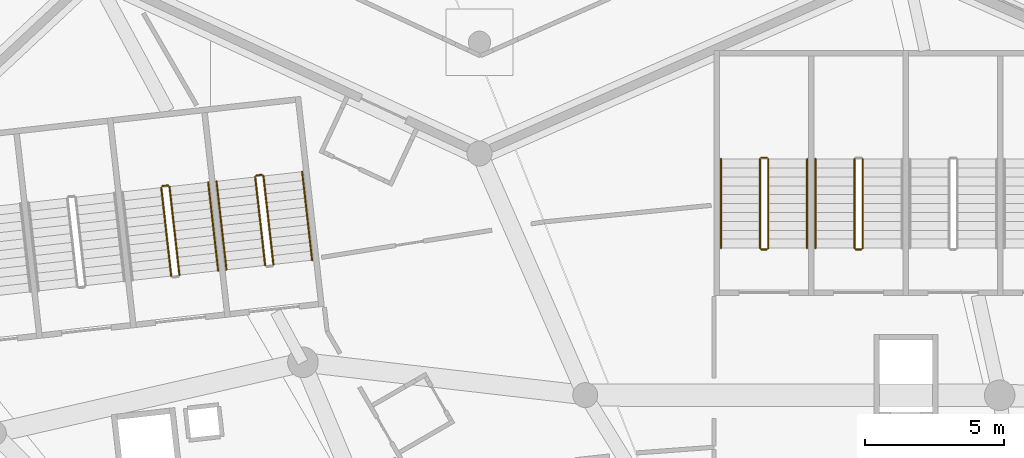
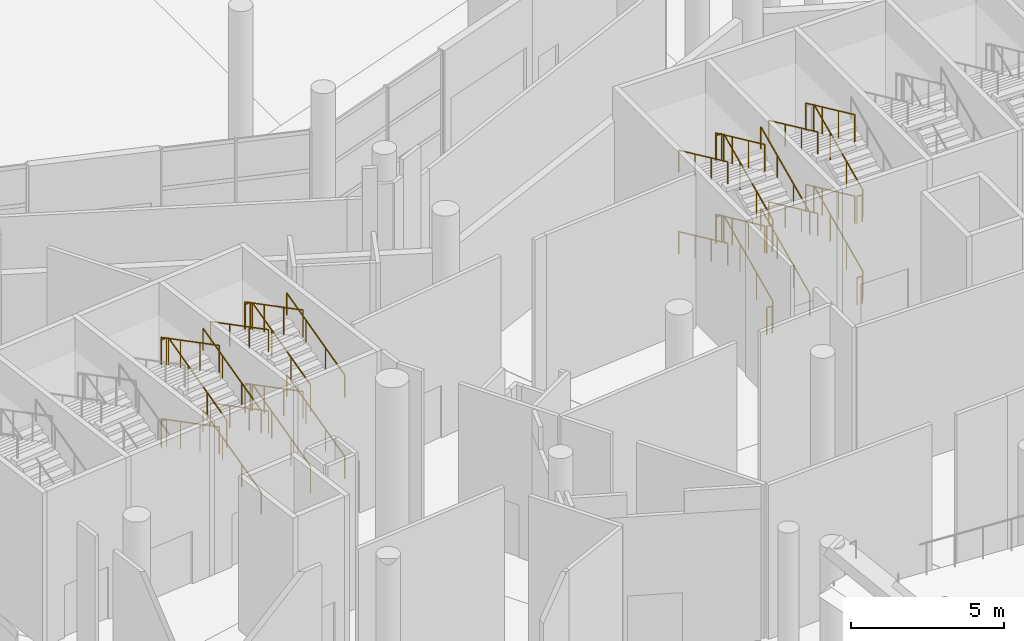
# One storey, part 236 of 255: 37 railings.
"""IFC4 building model written with IfcOpenShell, lengths in metres."""

from ifc_helpers import new_model, si_unit, direction, frame, origin, origin_2d, place, context, subcontext, project, spatial, circle, extrude, material, type_object, element, save


model = new_model("IFC4")

# Units and contexts
model_context = context("Model", 3, precision=1e-05, world=origin(), true_north=direction((0.0, 1.0)))
body_context = subcontext(model_context, "Body", "Model", "MODEL_VIEW")
ifc_project = project(units=[si_unit("LENGTHUNIT", "METRE"), si_unit("AREAUNIT", "SQUARE_METRE"), si_unit("VOLUMEUNIT", "CUBIC_METRE"), si_unit("PLANEANGLEUNIT", "RADIAN"), si_unit("MASSUNIT", "GRAM", prefix="KILO")], contexts=[model_context])

# Site, building, storey
site_placement = place(None, origin())
site = spatial("IfcSite", under=ifc_project, at=site_placement, CompositionType="ELEMENT")
building_placement = place(site_placement, origin())
building = spatial("IfcBuilding", under=site, at=building_placement, Name="Meseta Stadium", CompositionType="ELEMENT")
storey_placement = place(building_placement, origin())
storey = spatial("IfcBuildingStorey", under=building, at=storey_placement, Name="L00", CompositionType="ELEMENT", Elevation=0.0)

# Railings
ifc_material_1 = material(Name="Steel S355", Category="steel")
railing_type_1 = type_object("IfcRailingType", Name="Stair guard 1100", PredefinedType="GUARDRAIL", material=ifc_material_1)
railing_1_placement = place(storey_placement, frame((-24.550048828125, 95.199951171875, 0.147705078125)))
element("IfcRailing", 1, at=railing_1_placement, inside=storey, type_object=railing_type_1, Name="ST43 L00 guard 1", PredefinedType="GUARDRAIL", context=body_context, shape_type="SweptSolid", body=[
    extrude(circle(Radius=0.02392578125, at=origin_2d()), frame((0.0, 0.0, 1.076171875), z_axis=(0.0, 0.907916804346, 0.419150422148), x_axis=(-1.0, 0.0, 0.0)), (0.0, 0.0, 1.0), 3.5244140625),
    extrude(circle(Radius=0.02099609375, at=origin_2d()), origin(), (0.0, 0.0, 1.0), 1.052001953125),
    extrude(circle(Radius=0.02099609375, at=origin_2d()), frame((0.0, 1.066650390625, 0.492431640625)), (0.0, 0.0, 1.0), 1.052001953125),
    extrude(circle(Radius=0.02099609375, at=origin_2d()), frame((0.0, 2.13330078125, 0.98486328125)), (0.0, 0.0, 1.0), 1.052001953125),
    extrude(circle(Radius=0.02099609375, at=origin_2d()), frame((0.0, 3.199951171875, 1.477294921875)), (0.0, 0.0, 1.0), 1.052001953125),
])
railing_2_placement = place(storey_placement, frame((-24.85009765625, 98.39990234375, 1.772705078125)))
element("IfcRailing", 2, at=railing_2_placement, inside=storey, type_object=railing_type_1, Name="ST43 L00 guard 3", PredefinedType="GUARDRAIL", context=body_context, shape_type="SweptSolid", body=[
    extrude(circle(Radius=0.02392578125, at=origin_2d()), frame((0.0, 0.0, 1.076171875), z_axis=(0.0, -0.907916804346, 0.419150422148), x_axis=(1.0, 0.0, 0.0)), (0.0, 0.0, 1.0), 3.5244140625),
    extrude(circle(Radius=0.02099609375, at=origin_2d()), origin(), (0.0, 0.0, 1.0), 1.052001953125),
    extrude(circle(Radius=0.02099609375, at=origin_2d()), frame((0.0, -1.066650390625, 0.492431640625)), (0.0, 0.0, 1.0), 1.052001953125),
    extrude(circle(Radius=0.02099609375, at=origin_2d()), frame((0.0, -2.13330078125, 0.98486328125)), (0.0, 0.0, 1.0), 1.052001953125),
    extrude(circle(Radius=0.02099609375, at=origin_2d()), frame((0.0, -3.199951171875, 1.477294921875)), (0.0, 0.0, 1.0), 1.052001953125),
])
railing_3_placement = place(storey_placement, frame((-24.60009765625, 95.14990234375, 3.25)))
element("IfcRailing", 3, at=railing_3_placement, inside=storey, type_object=railing_type_1, Name="ST43 L00 guard 4", PredefinedType="GUARDRAIL", context=body_context, shape_type="SweptSolid", body=[
    extrude(circle(Radius=0.02392578125, at=origin_2d()), frame((0.0, 0.0, 1.076171875), z_axis=(-1.0, 0.0, 0.0), x_axis=(0.0, -1.0, 0.0)), (0.0, 0.0, 1.0), 0.199951171875),
    extrude(circle(Radius=0.02099609375, at=origin_2d()), origin(), (0.0, 0.0, 1.0), 1.052001953125),
    extrude(circle(Radius=0.02099609375, at=origin_2d()), frame((-0.199951171875, 0.0, 0.0)), (0.0, 0.0, 1.0), 1.052001953125),
])
railing_4_placement = place(storey_placement, frame((-24.550048828125, 95.199951171875, 3.397705078125)))
element("IfcRailing", 4, at=railing_4_placement, inside=storey, type_object=railing_type_1, Name="ST43 L00 guard 5", PredefinedType="GUARDRAIL", context=body_context, shape_type="SweptSolid", body=[
    extrude(circle(Radius=0.02392578125, at=origin_2d()), frame((0.0, 0.0, 1.076171875), z_axis=(0.0, 0.907916804346, 0.419150422148), x_axis=(-1.0, 0.0, 0.0)), (0.0, 0.0, 1.0), 3.5244140625),
    extrude(circle(Radius=0.02099609375, at=origin_2d()), origin(), (0.0, 0.0, 1.0), 1.052001953125),
    extrude(circle(Radius=0.02099609375, at=origin_2d()), frame((0.0, 1.066650390625, 0.492431640625)), (0.0, 0.0, 1.0), 1.052001953125),
    extrude(circle(Radius=0.02099609375, at=origin_2d()), frame((0.0, 2.13330078125, 0.98486328125)), (0.0, 0.0, 1.0), 1.052001953125),
    extrude(circle(Radius=0.02099609375, at=origin_2d()), frame((0.0, 3.199951171875, 1.477294921875)), (0.0, 0.0, 1.0), 1.052001953125),
])
railing_5_placement = place(storey_placement, frame((-24.85009765625, 98.39990234375, 5.022705078125)))
element("IfcRailing", 5, at=railing_5_placement, inside=storey, type_object=railing_type_1, Name="ST43 L00 guard 7", PredefinedType="GUARDRAIL", context=body_context, shape_type="SweptSolid", body=[
    extrude(circle(Radius=0.02392578125, at=origin_2d()), frame((0.0, 0.0, 1.076171875), z_axis=(0.0, -0.907916804346, 0.419150422148), x_axis=(1.0, 0.0, 0.0)), (0.0, 0.0, 1.0), 3.5244140625),
    extrude(circle(Radius=0.02099609375, at=origin_2d()), origin(), (0.0, 0.0, 1.0), 1.052001953125),
    extrude(circle(Radius=0.02099609375, at=origin_2d()), frame((0.0, -1.066650390625, 0.492431640625)), (0.0, 0.0, 1.0), 1.052001953125),
    extrude(circle(Radius=0.02099609375, at=origin_2d()), frame((0.0, -2.13330078125, 0.98486328125)), (0.0, 0.0, 1.0), 1.052001953125),
    extrude(circle(Radius=0.02099609375, at=origin_2d()), frame((0.0, -3.199951171875, 1.477294921875)), (0.0, 0.0, 1.0), 1.052001953125),
])
railing_6_placement = place(storey_placement, frame((-24.60009765625, 95.14990234375, 0.0)))
element("IfcRailing", 6, at=railing_6_placement, inside=storey, type_object=railing_type_1, Name="ST43 L00 guard 8", PredefinedType="GUARDRAIL", context=body_context, shape_type="SweptSolid", body=[
    extrude(circle(Radius=0.02392578125, at=origin_2d()), frame((0.0, 0.0, 1.076171875), z_axis=(-1.0, 0.0, 0.0), x_axis=(0.0, -1.0, 0.0)), (0.0, 0.0, 1.0), 0.199951171875),
    extrude(circle(Radius=0.02099609375, at=origin_2d()), origin(), (0.0, 0.0, 1.0), 1.052001953125),
    extrude(circle(Radius=0.02099609375, at=origin_2d()), frame((-0.199951171875, 0.0, 0.0)), (0.0, 0.0, 1.0), 1.052001953125),
])
railing_7_placement = place(storey_placement, frame((-27.949951171875, 95.199951171875, 0.147705078125)))
element("IfcRailing", 7, at=railing_7_placement, inside=storey, type_object=railing_type_1, Name="ST44 L00 guard 1", PredefinedType="GUARDRAIL", context=body_context, shape_type="SweptSolid", body=[
    extrude(circle(Radius=0.02392578125, at=origin_2d()), frame((0.0, 0.0, 1.076171875), z_axis=(0.0, 0.907916804346, 0.419150422148), x_axis=(-1.0, 0.0, 0.0)), (0.0, 0.0, 1.0), 3.5244140625),
    extrude(circle(Radius=0.02099609375, at=origin_2d()), origin(), (0.0, 0.0, 1.0), 1.052001953125),
    extrude(circle(Radius=0.02099609375, at=origin_2d()), frame((0.0, 1.066650390625, 0.492431640625)), (0.0, 0.0, 1.0), 1.052001953125),
    extrude(circle(Radius=0.02099609375, at=origin_2d()), frame((0.0, 2.13330078125, 0.98486328125)), (0.0, 0.0, 1.0), 1.052001953125),
    extrude(circle(Radius=0.02099609375, at=origin_2d()), frame((0.0, 3.199951171875, 1.477294921875)), (0.0, 0.0, 1.0), 1.052001953125),
])
railing_8_placement = place(storey_placement, frame((-28.0, 98.449951171875, 1.625)))
element("IfcRailing", 8, at=railing_8_placement, inside=storey, type_object=railing_type_1, Name="ST44 L00 guard 2", PredefinedType="GUARDRAIL", context=body_context, shape_type="SweptSolid", body=[
    extrude(circle(Radius=0.02392578125, at=origin_2d()), frame((0.0, 0.0, 1.076171875), z_axis=(-1.0, 0.0, 0.0), x_axis=(0.0, -1.0, 0.0)), (0.0, 0.0, 1.0), 0.199951171875),
    extrude(circle(Radius=0.02099609375, at=origin_2d()), origin(), (0.0, 0.0, 1.0), 1.052001953125),
    extrude(circle(Radius=0.02099609375, at=origin_2d()), frame((-0.199951171875, 0.0, 0.0)), (0.0, 0.0, 1.0), 1.052001953125),
])
railing_9_placement = place(storey_placement, frame((-28.25, 98.39990234375, 1.772705078125)))
element("IfcRailing", 9, at=railing_9_placement, inside=storey, type_object=railing_type_1, Name="ST44 L00 guard 3", PredefinedType="GUARDRAIL", context=body_context, shape_type="SweptSolid", body=[
    extrude(circle(Radius=0.02392578125, at=origin_2d()), frame((0.0, 0.0, 1.076171875), z_axis=(0.0, -0.907916804346, 0.419150422148), x_axis=(1.0, 0.0, 0.0)), (0.0, 0.0, 1.0), 3.5244140625),
    extrude(circle(Radius=0.02099609375, at=origin_2d()), origin(), (0.0, 0.0, 1.0), 1.052001953125),
    extrude(circle(Radius=0.02099609375, at=origin_2d()), frame((0.0, -1.066650390625, 0.492431640625)), (0.0, 0.0, 1.0), 1.052001953125),
    extrude(circle(Radius=0.02099609375, at=origin_2d()), frame((0.0, -2.13330078125, 0.98486328125)), (0.0, 0.0, 1.0), 1.052001953125),
    extrude(circle(Radius=0.02099609375, at=origin_2d()), frame((0.0, -3.199951171875, 1.477294921875)), (0.0, 0.0, 1.0), 1.052001953125),
])
railing_10_placement = place(storey_placement, frame((-28.0, 95.14990234375, 3.25)))
element("IfcRailing", 10, at=railing_10_placement, inside=storey, type_object=railing_type_1, Name="ST44 L00 guard 4", PredefinedType="GUARDRAIL", context=body_context, shape_type="SweptSolid", body=[
    extrude(circle(Radius=0.02392578125, at=origin_2d()), frame((0.0, 0.0, 1.076171875), z_axis=(-1.0, 0.0, 0.0), x_axis=(0.0, -1.0, 0.0)), (0.0, 0.0, 1.0), 0.199951171875),
    extrude(circle(Radius=0.02099609375, at=origin_2d()), origin(), (0.0, 0.0, 1.0), 1.052001953125),
    extrude(circle(Radius=0.02099609375, at=origin_2d()), frame((-0.199951171875, 0.0, 0.0)), (0.0, 0.0, 1.0), 1.052001953125),
])
railing_11_placement = place(storey_placement, frame((-27.949951171875, 95.199951171875, 3.397705078125)))
element("IfcRailing", 11, at=railing_11_placement, inside=storey, type_object=railing_type_1, Name="ST44 L00 guard 5", PredefinedType="GUARDRAIL", context=body_context, shape_type="SweptSolid", body=[
    extrude(circle(Radius=0.02392578125, at=origin_2d()), frame((0.0, 0.0, 1.076171875), z_axis=(0.0, 0.907916804346, 0.419150422148), x_axis=(-1.0, 0.0, 0.0)), (0.0, 0.0, 1.0), 3.5244140625),
    extrude(circle(Radius=0.02099609375, at=origin_2d()), origin(), (0.0, 0.0, 1.0), 1.052001953125),
    extrude(circle(Radius=0.02099609375, at=origin_2d()), frame((0.0, 1.066650390625, 0.492431640625)), (0.0, 0.0, 1.0), 1.052001953125),
    extrude(circle(Radius=0.02099609375, at=origin_2d()), frame((0.0, 2.13330078125, 0.98486328125)), (0.0, 0.0, 1.0), 1.052001953125),
    extrude(circle(Radius=0.02099609375, at=origin_2d()), frame((0.0, 3.199951171875, 1.477294921875)), (0.0, 0.0, 1.0), 1.052001953125),
])
railing_12_placement = place(storey_placement, frame((-28.0, 98.449951171875, 4.875)))
element("IfcRailing", 12, at=railing_12_placement, inside=storey, type_object=railing_type_1, Name="ST44 L00 guard 6", PredefinedType="GUARDRAIL", context=body_context, shape_type="SweptSolid", body=[
    extrude(circle(Radius=0.02392578125, at=origin_2d()), frame((0.0, 0.0, 1.076171875), z_axis=(-1.0, 0.0, 0.0), x_axis=(0.0, -1.0, 0.0)), (0.0, 0.0, 1.0), 0.199951171875),
    extrude(circle(Radius=0.02099609375, at=origin_2d()), origin(), (0.0, 0.0, 1.0), 1.052001953125),
    extrude(circle(Radius=0.02099609375, at=origin_2d()), frame((-0.199951171875, 0.0, 0.0)), (0.0, 0.0, 1.0), 1.052001953125),
])
railing_13_placement = place(storey_placement, frame((-28.25, 98.39990234375, 5.022705078125)))
element("IfcRailing", 13, at=railing_13_placement, inside=storey, type_object=railing_type_1, Name="ST44 L00 guard 7", PredefinedType="GUARDRAIL", context=body_context, shape_type="SweptSolid", body=[
    extrude(circle(Radius=0.02392578125, at=origin_2d()), frame((0.0, 0.0, 1.076171875), z_axis=(0.0, -0.907916804346, 0.419150422148), x_axis=(1.0, 0.0, 0.0)), (0.0, 0.0, 1.0), 3.5244140625),
    extrude(circle(Radius=0.02099609375, at=origin_2d()), origin(), (0.0, 0.0, 1.0), 1.052001953125),
    extrude(circle(Radius=0.02099609375, at=origin_2d()), frame((0.0, -1.066650390625, 0.492431640625)), (0.0, 0.0, 1.0), 1.052001953125),
    extrude(circle(Radius=0.02099609375, at=origin_2d()), frame((0.0, -2.13330078125, 0.98486328125)), (0.0, 0.0, 1.0), 1.052001953125),
    extrude(circle(Radius=0.02099609375, at=origin_2d()), frame((0.0, -3.199951171875, 1.477294921875)), (0.0, 0.0, 1.0), 1.052001953125),
])
railing_14_placement = place(storey_placement, frame((-28.0, 95.14990234375, 0.0)))
element("IfcRailing", 14, at=railing_14_placement, inside=storey, type_object=railing_type_1, Name="ST44 L00 guard 8", PredefinedType="GUARDRAIL", context=body_context, shape_type="SweptSolid", body=[
    extrude(circle(Radius=0.02392578125, at=origin_2d()), frame((0.0, 0.0, 1.076171875), z_axis=(-1.0, 0.0, 0.0), x_axis=(0.0, -1.0, 0.0)), (0.0, 0.0, 1.0), 0.199951171875),
    extrude(circle(Radius=0.02099609375, at=origin_2d()), origin(), (0.0, 0.0, 1.0), 1.052001953125),
    extrude(circle(Radius=0.02099609375, at=origin_2d()), frame((-0.199951171875, 0.0, 0.0)), (0.0, 0.0, 1.0), 1.052001953125),
])
railing_15_placement = place(storey_placement, frame((-45.742919921875, 94.609375, 0.147705078125)))
element("IfcRailing", 15, at=railing_15_placement, inside=storey, type_object=railing_type_1, Name="ST45 L00 guard 1", PredefinedType="GUARDRAIL", context=body_context, shape_type="SweptSolid", body=[
    extrude(circle(Radius=0.02392578125, at=origin_2d()), frame((0.0, 0.0, 1.076171875), z_axis=(-0.101691169215, 0.902197403174, 0.419164349402), x_axis=(-0.993707560215, -0.112005735442, 0.0)), (0.0, 0.0, 1.0), 3.5244140625),
    extrude(circle(Radius=0.02099609375, at=origin_2d()), origin(), (0.0, 0.0, 1.0), 1.052001953125),
    extrude(circle(Radius=0.02099609375, at=origin_2d()), frame((-0.119384765625, 1.059814453125, 0.492431640625)), (0.0, 0.0, 1.0), 1.052001953125),
    extrude(circle(Radius=0.02099609375, at=origin_2d()), frame((-0.239013671875, 2.119873046875, 0.98486328125)), (0.0, 0.0, 1.0), 1.052001953125),
    extrude(circle(Radius=0.02099609375, at=origin_2d()), frame((-0.3583984375, 3.1796875, 1.477294921875)), (0.0, 0.0, 1.0), 1.052001953125),
])
railing_16_placement = place(storey_placement, frame((-46.156494140625, 97.833251953125, 1.625)))
element("IfcRailing", 16, at=railing_16_placement, inside=storey, type_object=railing_type_1, Name="ST45 L00 guard 2", PredefinedType="GUARDRAIL", context=body_context, shape_type="SweptSolid", body=[
    extrude(circle(Radius=0.02392578125, at=origin_2d()), frame((0.0, 0.0, 1.076171875), z_axis=(-0.993688916384, -0.112171018782, 0.0), x_axis=(0.112171018782, -0.993688916384, 0.0)), (0.0, 0.0, 1.0), 0.2001953125),
    extrude(circle(Radius=0.02099609375, at=origin_2d()), origin(), (0.0, 0.0, 1.0), 1.052001953125),
    extrude(circle(Radius=0.02099609375, at=origin_2d()), frame((-0.198974609375, -0.0224609375, 0.0)), (0.0, 0.0, 1.0), 1.052001953125),
])
railing_17_placement = place(storey_placement, frame((-46.3994140625, 97.755615234375, 1.772705078125)))
element("IfcRailing", 17, at=railing_17_placement, inside=storey, type_object=railing_type_1, Name="ST45 L00 guard 3", PredefinedType="GUARDRAIL", context=body_context, shape_type="SweptSolid", body=[
    extrude(circle(Radius=0.02392578125, at=origin_2d()), frame((0.0, 0.0, 1.076171875), z_axis=(0.101616262084, -0.902216641888, 0.419141105571), x_axis=(0.993717005286, 0.11192190762, 0.0)), (0.0, 0.0, 1.0), 3.524658203125),
    extrude(circle(Radius=0.02099609375, at=origin_2d()), origin(), (0.0, 0.0, 1.0), 1.052001953125),
    extrude(circle(Radius=0.02099609375, at=origin_2d()), frame((0.119384765625, -1.06005859375, 0.492431640625)), (0.0, 0.0, 1.0), 1.052001953125),
    extrude(circle(Radius=0.02099609375, at=origin_2d()), frame((0.23876953125, -2.119873046875, 0.98486328125)), (0.0, 0.0, 1.0), 1.052001953125),
    extrude(circle(Radius=0.02099609375, at=origin_2d()), frame((0.358154296875, -3.179931640625, 1.477294921875)), (0.0, 0.0, 1.0), 1.052001953125),
])
railing_18_placement = place(storey_placement, frame((-45.742919921875, 94.609375, 3.397705078125)))
element("IfcRailing", 18, at=railing_18_placement, inside=storey, type_object=railing_type_1, Name="ST45 L00 guard 5", PredefinedType="GUARDRAIL", context=body_context, shape_type="SweptSolid", body=[
    extrude(circle(Radius=0.02392578125, at=origin_2d()), frame((0.0, 0.0, 1.076171875), z_axis=(-0.101691169215, 0.902197403174, 0.419164349402), x_axis=(-0.993707560215, -0.112005735442, 0.0)), (0.0, 0.0, 1.0), 3.5244140625),
    extrude(circle(Radius=0.02099609375, at=origin_2d()), origin(), (0.0, 0.0, 1.0), 1.052001953125),
    extrude(circle(Radius=0.02099609375, at=origin_2d()), frame((-0.119384765625, 1.059814453125, 0.492431640625)), (0.0, 0.0, 1.0), 1.052001953125),
    extrude(circle(Radius=0.02099609375, at=origin_2d()), frame((-0.239013671875, 2.119873046875, 0.98486328125)), (0.0, 0.0, 1.0), 1.052001953125),
    extrude(circle(Radius=0.02099609375, at=origin_2d()), frame((-0.3583984375, 3.1796875, 1.477294921875)), (0.0, 0.0, 1.0), 1.052001953125),
])
railing_19_placement = place(storey_placement, frame((-46.156494140625, 97.833251953125, 4.875)))
element("IfcRailing", 19, at=railing_19_placement, inside=storey, type_object=railing_type_1, Name="ST45 L00 guard 6", PredefinedType="GUARDRAIL", context=body_context, shape_type="SweptSolid", body=[
    extrude(circle(Radius=0.02392578125, at=origin_2d()), frame((0.0, 0.0, 1.076171875), z_axis=(-0.993688916384, -0.112171018782, 0.0), x_axis=(0.112171018782, -0.993688916384, 0.0)), (0.0, 0.0, 1.0), 0.2001953125),
    extrude(circle(Radius=0.02099609375, at=origin_2d()), origin(), (0.0, 0.0, 1.0), 1.052001953125),
    extrude(circle(Radius=0.02099609375, at=origin_2d()), frame((-0.198974609375, -0.0224609375, 0.0)), (0.0, 0.0, 1.0), 1.052001953125),
])
railing_20_placement = place(storey_placement, frame((-46.3994140625, 97.755615234375, 5.022705078125)))
element("IfcRailing", 20, at=railing_20_placement, inside=storey, type_object=railing_type_1, Name="ST45 L00 guard 7", PredefinedType="GUARDRAIL", context=body_context, shape_type="SweptSolid", body=[
    extrude(circle(Radius=0.02392578125, at=origin_2d()), frame((0.0, 0.0, 1.076171875), z_axis=(0.101616262084, -0.902216641888, 0.419141105571), x_axis=(0.993717005286, 0.11192190762, 0.0)), (0.0, 0.0, 1.0), 3.524658203125),
    extrude(circle(Radius=0.02099609375, at=origin_2d()), origin(), (0.0, 0.0, 1.0), 1.052001953125),
    extrude(circle(Radius=0.02099609375, at=origin_2d()), frame((0.119384765625, -1.06005859375, 0.492431640625)), (0.0, 0.0, 1.0), 1.052001953125),
    extrude(circle(Radius=0.02099609375, at=origin_2d()), frame((0.23876953125, -2.119873046875, 0.98486328125)), (0.0, 0.0, 1.0), 1.052001953125),
    extrude(circle(Radius=0.02099609375, at=origin_2d()), frame((0.358154296875, -3.179931640625, 1.477294921875)), (0.0, 0.0, 1.0), 1.052001953125),
])
railing_21_placement = place(storey_placement, frame((-49.53515625, 97.45263671875, 1.625)))
element("IfcRailing", 21, at=railing_21_placement, inside=storey, type_object=railing_type_1, Name="ST46 L00 guard 2", PredefinedType="GUARDRAIL", context=body_context, shape_type="SweptSolid", body=[
    extrude(circle(Radius=0.02392578125, at=origin_2d()), frame((0.0, 0.0, 1.076171875), z_axis=(-0.993673547442, -0.112307083986, 0.0), x_axis=(0.112307083986, -0.993673547442, 0.0)), (0.0, 0.0, 1.0), 0.199951171875),
    extrude(circle(Radius=0.02099609375, at=origin_2d()), origin(), (0.0, 0.0, 1.0), 1.052001953125),
    extrude(circle(Radius=0.02099609375, at=origin_2d()), frame((-0.19873046875, -0.0224609375, 0.0)), (0.0, 0.0, 1.0), 1.052001953125),
])
railing_22_placement = place(storey_placement, frame((-49.778076171875, 97.374755859375, 1.772705078125)))
element("IfcRailing", 22, at=railing_22_placement, inside=storey, type_object=railing_type_1, Name="ST46 L00 guard 3", PredefinedType="GUARDRAIL", context=body_context, shape_type="SweptSolid", body=[
    extrude(circle(Radius=0.02392578125, at=origin_2d()), frame((0.0, 0.0, 1.076171875), z_axis=(0.101691169215, -0.902197403174, 0.419164349402), x_axis=(0.993707560215, 0.112005735442, 0.0)), (0.0, 0.0, 1.0), 3.5244140625),
    extrude(circle(Radius=0.02099609375, at=origin_2d()), origin(), (0.0, 0.0, 1.0), 1.052001953125),
    extrude(circle(Radius=0.02099609375, at=origin_2d()), frame((0.119384765625, -1.059814453125, 0.492431640625)), (0.0, 0.0, 1.0), 1.052001953125),
    extrude(circle(Radius=0.02099609375, at=origin_2d()), frame((0.239013671875, -2.119873046875, 0.98486328125)), (0.0, 0.0, 1.0), 1.052001953125),
    extrude(circle(Radius=0.02099609375, at=origin_2d()), frame((0.3583984375, -3.1796875, 1.477294921875)), (0.0, 0.0, 1.0), 1.052001953125),
])
railing_23_placement = place(storey_placement, frame((-49.12158203125, 94.228515625, 3.397705078125)))
element("IfcRailing", 23, at=railing_23_placement, inside=storey, type_object=railing_type_1, Name="ST46 L00 guard 5", PredefinedType="GUARDRAIL", context=body_context, shape_type="SweptSolid", body=[
    extrude(circle(Radius=0.02392578125, at=origin_2d()), frame((0.0, 0.0, 1.076171875), z_axis=(-0.10168481418, 0.902210289302, 0.419138154362), x_axis=(-0.993708517288, -0.111997244021, 0.0)), (0.0, 0.0, 1.0), 3.524658203125),
    extrude(circle(Radius=0.02099609375, at=origin_2d()), origin(), (0.0, 0.0, 1.0), 1.052001953125),
    extrude(circle(Radius=0.02099609375, at=origin_2d()), frame((-0.119384765625, 1.06005859375, 0.492431640625)), (0.0, 0.0, 1.0), 1.052001953125),
    extrude(circle(Radius=0.02099609375, at=origin_2d()), frame((-0.239013671875, 2.119873046875, 0.98486328125)), (0.0, 0.0, 1.0), 1.052001953125),
    extrude(circle(Radius=0.02099609375, at=origin_2d()), frame((-0.3583984375, 3.179931640625, 1.477294921875)), (0.0, 0.0, 1.0), 1.052001953125),
])
railing_24_placement = place(storey_placement, frame((-49.53515625, 97.45263671875, 4.875)))
element("IfcRailing", 24, at=railing_24_placement, inside=storey, type_object=railing_type_1, Name="ST46 L00 guard 6", PredefinedType="GUARDRAIL", context=body_context, shape_type="SweptSolid", body=[
    extrude(circle(Radius=0.02392578125, at=origin_2d()), frame((0.0, 0.0, 1.076171875), z_axis=(-0.993673547442, -0.112307083986, 0.0), x_axis=(0.112307083986, -0.993673547442, 0.0)), (0.0, 0.0, 1.0), 0.199951171875),
    extrude(circle(Radius=0.02099609375, at=origin_2d()), origin(), (0.0, 0.0, 1.0), 1.052001953125),
    extrude(circle(Radius=0.02099609375, at=origin_2d()), frame((-0.19873046875, -0.0224609375, 0.0)), (0.0, 0.0, 1.0), 1.052001953125),
])
railing_25_placement = place(storey_placement, frame((-49.778076171875, 97.374755859375, 5.022705078125)))
element("IfcRailing", 25, at=railing_25_placement, inside=storey, type_object=railing_type_1, Name="ST46 L00 guard 7", PredefinedType="GUARDRAIL", context=body_context, shape_type="SweptSolid", body=[
    extrude(circle(Radius=0.02392578125, at=origin_2d()), frame((0.0, 0.0, 1.076171875), z_axis=(0.101691169215, -0.902197403174, 0.419164349402), x_axis=(0.993707560215, 0.112005735442, 0.0)), (0.0, 0.0, 1.0), 3.5244140625),
    extrude(circle(Radius=0.02099609375, at=origin_2d()), origin(), (0.0, 0.0, 1.0), 1.052001953125),
    extrude(circle(Radius=0.02099609375, at=origin_2d()), frame((0.119384765625, -1.059814453125, 0.492431640625)), (0.0, 0.0, 1.0), 1.052001953125),
    extrude(circle(Radius=0.02099609375, at=origin_2d()), frame((0.239013671875, -2.119873046875, 0.98486328125)), (0.0, 0.0, 1.0), 1.052001953125),
    extrude(circle(Radius=0.02099609375, at=origin_2d()), frame((0.3583984375, -3.1796875, 1.477294921875)), (0.0, 0.0, 1.0), 1.052001953125),
])
ifc_material_2 = material(Name="Steel S355", Category="steel")
railing_type_2 = type_object("IfcRailingType", Name="Stair handrail 900", PredefinedType="HANDRAIL", material=ifc_material_2)
for number, where, name in (
    (26, (-26.25, 98.39990234375, 1.772705078125), "ST43 L00 handrail 2"),
    (27, (-26.25, 98.39990234375, 5.022705078125), "ST43 L00 handrail 4"),
):
    element("IfcRailing", number, at=place(storey_placement, frame(where)), inside=storey, type_object=railing_type_2, Name=name, PredefinedType="HANDRAIL", context=body_context, shape_type="SweptSolid", body=[
        extrude(circle(Radius=0.02392578125, at=origin_2d()), frame((0.0, 0.0, 0.8759765625), z_axis=(0.0, -0.907916804346, 0.419150422148), x_axis=(1.0, 0.0, 0.0)), (0.0, 0.0, 1.0), 3.5244140625),
        extrude(circle(Radius=0.02099609375, at=origin_2d()), origin(), (0.0, 0.0, 1.0), 0.851806640625),
        extrude(circle(Radius=0.02099609375, at=origin_2d()), frame((0.0, -1.066650390625, 0.492431640625)), (0.0, 0.0, 1.0), 0.851806640625),
        extrude(circle(Radius=0.02099609375, at=origin_2d()), frame((0.0, -2.13330078125, 0.98486328125)), (0.0, 0.0, 1.0), 0.851806640625),
        extrude(circle(Radius=0.02099609375, at=origin_2d()), frame((0.0, -3.199951171875, 1.477294921875)), (0.0, 0.0, 1.0), 0.851806640625),
    ])
railing_26_placement = place(storey_placement, frame((-26.550048828125, 95.199951171875, 0.147705078125)))
element("IfcRailing", 28, at=railing_26_placement, inside=storey, type_object=railing_type_2, Name="ST44 L00 handrail 1", PredefinedType="HANDRAIL", context=body_context, shape_type="SweptSolid", body=[
    extrude(circle(Radius=0.02392578125, at=origin_2d()), frame((0.0, 0.0, 0.8759765625), z_axis=(0.0, 0.907916804346, 0.419150422148), x_axis=(-1.0, 0.0, 0.0)), (0.0, 0.0, 1.0), 3.5244140625),
    extrude(circle(Radius=0.02099609375, at=origin_2d()), origin(), (0.0, 0.0, 1.0), 0.851806640625),
    extrude(circle(Radius=0.02099609375, at=origin_2d()), frame((0.0, 1.066650390625, 0.492431640625)), (0.0, 0.0, 1.0), 0.851806640625),
    extrude(circle(Radius=0.02099609375, at=origin_2d()), frame((0.0, 2.13330078125, 0.98486328125)), (0.0, 0.0, 1.0), 0.851806640625),
    extrude(circle(Radius=0.02099609375, at=origin_2d()), frame((0.0, 3.199951171875, 1.477294921875)), (0.0, 0.0, 1.0), 0.851806640625),
])
railing_27_placement = place(storey_placement, frame((-29.64990234375, 98.39990234375, 1.772705078125)))
element("IfcRailing", 29, at=railing_27_placement, inside=storey, type_object=railing_type_2, Name="ST44 L00 handrail 2", PredefinedType="HANDRAIL", context=body_context, shape_type="SweptSolid", body=[
    extrude(circle(Radius=0.02392578125, at=origin_2d()), frame((0.0, 0.0, 0.8759765625), z_axis=(0.0, -0.907916804346, 0.419150422148), x_axis=(1.0, 0.0, 0.0)), (0.0, 0.0, 1.0), 3.5244140625),
    extrude(circle(Radius=0.02099609375, at=origin_2d()), origin(), (0.0, 0.0, 1.0), 0.851806640625),
    extrude(circle(Radius=0.02099609375, at=origin_2d()), frame((0.0, -1.066650390625, 0.492431640625)), (0.0, 0.0, 1.0), 0.851806640625),
    extrude(circle(Radius=0.02099609375, at=origin_2d()), frame((0.0, -2.13330078125, 0.98486328125)), (0.0, 0.0, 1.0), 0.851806640625),
    extrude(circle(Radius=0.02099609375, at=origin_2d()), frame((0.0, -3.199951171875, 1.477294921875)), (0.0, 0.0, 1.0), 0.851806640625),
])
railing_28_placement = place(storey_placement, frame((-26.550048828125, 95.199951171875, 3.397705078125)))
element("IfcRailing", 30, at=railing_28_placement, inside=storey, type_object=railing_type_2, Name="ST44 L00 handrail 3", PredefinedType="HANDRAIL", context=body_context, shape_type="SweptSolid", body=[
    extrude(circle(Radius=0.02392578125, at=origin_2d()), frame((0.0, 0.0, 0.8759765625), z_axis=(0.0, 0.907916804346, 0.419150422148), x_axis=(-1.0, 0.0, 0.0)), (0.0, 0.0, 1.0), 3.5244140625),
    extrude(circle(Radius=0.02099609375, at=origin_2d()), origin(), (0.0, 0.0, 1.0), 0.851806640625),
    extrude(circle(Radius=0.02099609375, at=origin_2d()), frame((0.0, 1.066650390625, 0.492431640625)), (0.0, 0.0, 1.0), 0.851806640625),
    extrude(circle(Radius=0.02099609375, at=origin_2d()), frame((0.0, 2.13330078125, 0.98486328125)), (0.0, 0.0, 1.0), 0.851806640625),
    extrude(circle(Radius=0.02099609375, at=origin_2d()), frame((0.0, 3.199951171875, 1.477294921875)), (0.0, 0.0, 1.0), 0.851806640625),
])
railing_29_placement = place(storey_placement, frame((-29.64990234375, 98.39990234375, 5.022705078125)))
element("IfcRailing", 31, at=railing_29_placement, inside=storey, type_object=railing_type_2, Name="ST44 L00 handrail 4", PredefinedType="HANDRAIL", context=body_context, shape_type="SweptSolid", body=[
    extrude(circle(Radius=0.02392578125, at=origin_2d()), frame((0.0, 0.0, 0.8759765625), z_axis=(0.0, -0.907916804346, 0.419150422148), x_axis=(1.0, 0.0, 0.0)), (0.0, 0.0, 1.0), 3.5244140625),
    extrude(circle(Radius=0.02099609375, at=origin_2d()), origin(), (0.0, 0.0, 1.0), 0.851806640625),
    extrude(circle(Radius=0.02099609375, at=origin_2d()), frame((0.0, -1.066650390625, 0.492431640625)), (0.0, 0.0, 1.0), 0.851806640625),
    extrude(circle(Radius=0.02099609375, at=origin_2d()), frame((0.0, -2.13330078125, 0.98486328125)), (0.0, 0.0, 1.0), 0.851806640625),
    extrude(circle(Radius=0.02099609375, at=origin_2d()), frame((0.0, -3.199951171875, 1.477294921875)), (0.0, 0.0, 1.0), 0.851806640625),
])
railing_30_placement = place(storey_placement, frame((-44.351806640625, 94.76611328125, 0.147705078125)))
element("IfcRailing", 32, at=railing_30_placement, inside=storey, type_object=railing_type_2, Name="ST45 L00 handrail 1", PredefinedType="HANDRAIL", context=body_context, shape_type="SweptSolid", body=[
    extrude(circle(Radius=0.02392578125, at=origin_2d()), frame((0.0, 0.0, 0.8759765625), z_axis=(-0.101691169215, 0.902197403174, 0.419164349402), x_axis=(-0.993707560215, -0.112005735442, 0.0)), (0.0, 0.0, 1.0), 3.5244140625),
    extrude(circle(Radius=0.02099609375, at=origin_2d()), origin(), (0.0, 0.0, 1.0), 0.851806640625),
    extrude(circle(Radius=0.02099609375, at=origin_2d()), frame((-0.119384765625, 1.059814453125, 0.492431640625)), (0.0, 0.0, 1.0), 0.851806640625),
    extrude(circle(Radius=0.02099609375, at=origin_2d()), frame((-0.239013671875, 2.119873046875, 0.98486328125)), (0.0, 0.0, 1.0), 0.851806640625),
    extrude(circle(Radius=0.02099609375, at=origin_2d()), frame((-0.3583984375, 3.1796875, 1.477294921875)), (0.0, 0.0, 1.0), 0.851806640625),
])
railing_31_placement = place(storey_placement, frame((-47.79052734375, 97.598876953125, 1.772705078125)))
element("IfcRailing", 33, at=railing_31_placement, inside=storey, type_object=railing_type_2, Name="ST45 L00 handrail 2", PredefinedType="HANDRAIL", context=body_context, shape_type="SweptSolid", body=[
    extrude(circle(Radius=0.02392578125, at=origin_2d()), frame((0.0, 0.0, 0.8759765625), z_axis=(0.101616262084, -0.902216641888, 0.419141105571), x_axis=(0.993717005286, 0.11192190762, 0.0)), (0.0, 0.0, 1.0), 3.524658203125),
    extrude(circle(Radius=0.02099609375, at=origin_2d()), origin(), (0.0, 0.0, 1.0), 0.851806640625),
    extrude(circle(Radius=0.02099609375, at=origin_2d()), frame((0.119384765625, -1.06005859375, 0.492431640625)), (0.0, 0.0, 1.0), 0.851806640625),
    extrude(circle(Radius=0.02099609375, at=origin_2d()), frame((0.23876953125, -2.119873046875, 0.98486328125)), (0.0, 0.0, 1.0), 0.851806640625),
    extrude(circle(Radius=0.02099609375, at=origin_2d()), frame((0.358154296875, -3.179931640625, 1.477294921875)), (0.0, 0.0, 1.0), 0.851806640625),
])
railing_32_placement = place(storey_placement, frame((-44.351806640625, 94.76611328125, 3.397705078125)))
element("IfcRailing", 34, at=railing_32_placement, inside=storey, type_object=railing_type_2, Name="ST45 L00 handrail 3", PredefinedType="HANDRAIL", context=body_context, shape_type="SweptSolid", body=[
    extrude(circle(Radius=0.02392578125, at=origin_2d()), frame((0.0, 0.0, 0.8759765625), z_axis=(-0.101691169215, 0.902197403174, 0.419164349402), x_axis=(-0.993707560215, -0.112005735442, 0.0)), (0.0, 0.0, 1.0), 3.5244140625),
    extrude(circle(Radius=0.02099609375, at=origin_2d()), origin(), (0.0, 0.0, 1.0), 0.851806640625),
    extrude(circle(Radius=0.02099609375, at=origin_2d()), frame((-0.119384765625, 1.059814453125, 0.492431640625)), (0.0, 0.0, 1.0), 0.851806640625),
    extrude(circle(Radius=0.02099609375, at=origin_2d()), frame((-0.239013671875, 2.119873046875, 0.98486328125)), (0.0, 0.0, 1.0), 0.851806640625),
    extrude(circle(Radius=0.02099609375, at=origin_2d()), frame((-0.3583984375, 3.1796875, 1.477294921875)), (0.0, 0.0, 1.0), 0.851806640625),
])
railing_33_placement = place(storey_placement, frame((-47.79052734375, 97.598876953125, 5.022705078125)))
element("IfcRailing", 35, at=railing_33_placement, inside=storey, type_object=railing_type_2, Name="ST45 L00 handrail 4", PredefinedType="HANDRAIL", context=body_context, shape_type="SweptSolid", body=[
    extrude(circle(Radius=0.02392578125, at=origin_2d()), frame((0.0, 0.0, 0.8759765625), z_axis=(0.101616262084, -0.902216641888, 0.419141105571), x_axis=(0.993717005286, 0.11192190762, 0.0)), (0.0, 0.0, 1.0), 3.524658203125),
    extrude(circle(Radius=0.02099609375, at=origin_2d()), origin(), (0.0, 0.0, 1.0), 0.851806640625),
    extrude(circle(Radius=0.02099609375, at=origin_2d()), frame((0.119384765625, -1.06005859375, 0.492431640625)), (0.0, 0.0, 1.0), 0.851806640625),
    extrude(circle(Radius=0.02099609375, at=origin_2d()), frame((0.23876953125, -2.119873046875, 0.98486328125)), (0.0, 0.0, 1.0), 0.851806640625),
    extrude(circle(Radius=0.02099609375, at=origin_2d()), frame((0.358154296875, -3.179931640625, 1.477294921875)), (0.0, 0.0, 1.0), 0.851806640625),
])
for number, where, name in (
    (36, (-47.73046875, 94.38525390625, 0.147705078125), "ST46 L00 handrail 1"),
    (37, (-47.73046875, 94.38525390625, 3.397705078125), "ST46 L00 handrail 3"),
):
    element("IfcRailing", number, at=place(storey_placement, frame(where)), inside=storey, type_object=railing_type_2, Name=name, PredefinedType="HANDRAIL", context=body_context, shape_type="SweptSolid", body=[
        extrude(circle(Radius=0.02392578125, at=origin_2d()), frame((0.0, 0.0, 0.8759765625), z_axis=(-0.10168481418, 0.902210289302, 0.419138154362), x_axis=(-0.993708517288, -0.111997244021, 0.0)), (0.0, 0.0, 1.0), 3.524658203125),
        extrude(circle(Radius=0.02099609375, at=origin_2d()), origin(), (0.0, 0.0, 1.0), 0.851806640625),
        extrude(circle(Radius=0.02099609375, at=origin_2d()), frame((-0.119384765625, 1.06005859375, 0.492431640625)), (0.0, 0.0, 1.0), 0.851806640625),
        extrude(circle(Radius=0.02099609375, at=origin_2d()), frame((-0.239013671875, 2.119873046875, 0.98486328125)), (0.0, 0.0, 1.0), 0.851806640625),
        extrude(circle(Radius=0.02099609375, at=origin_2d()), frame((-0.3583984375, 3.179931640625, 1.477294921875)), (0.0, 0.0, 1.0), 0.851806640625),
    ])

save(model, "model.ifc")
